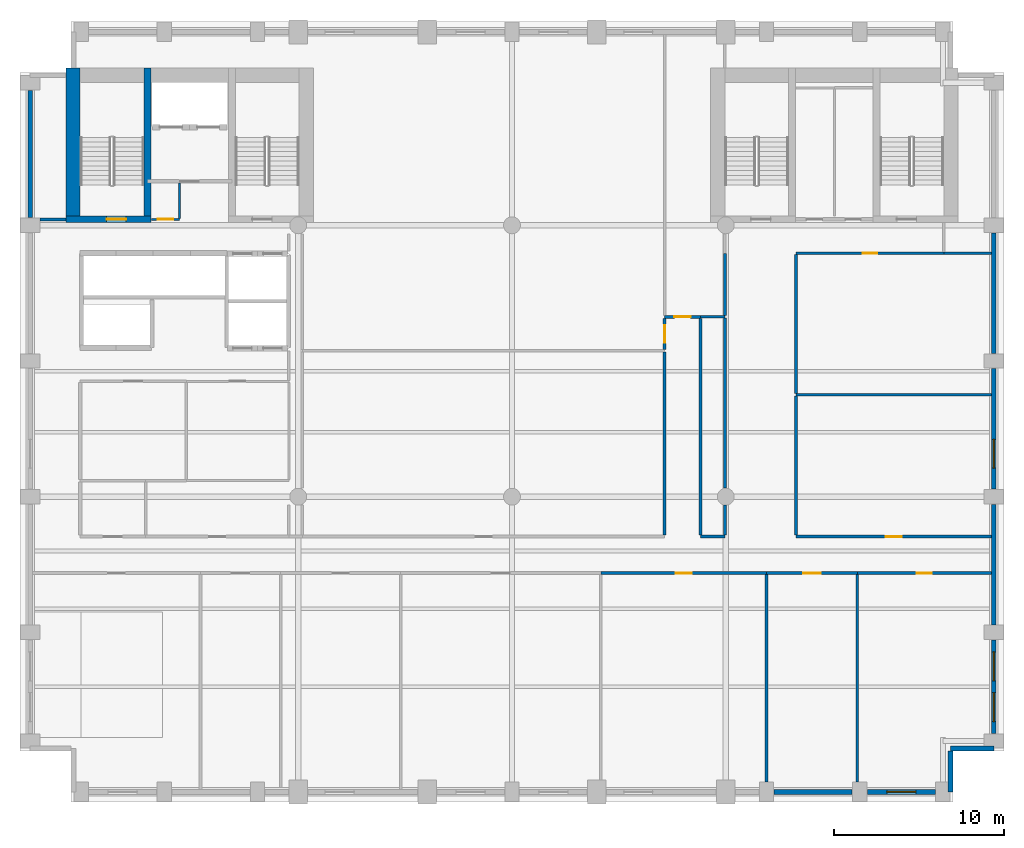
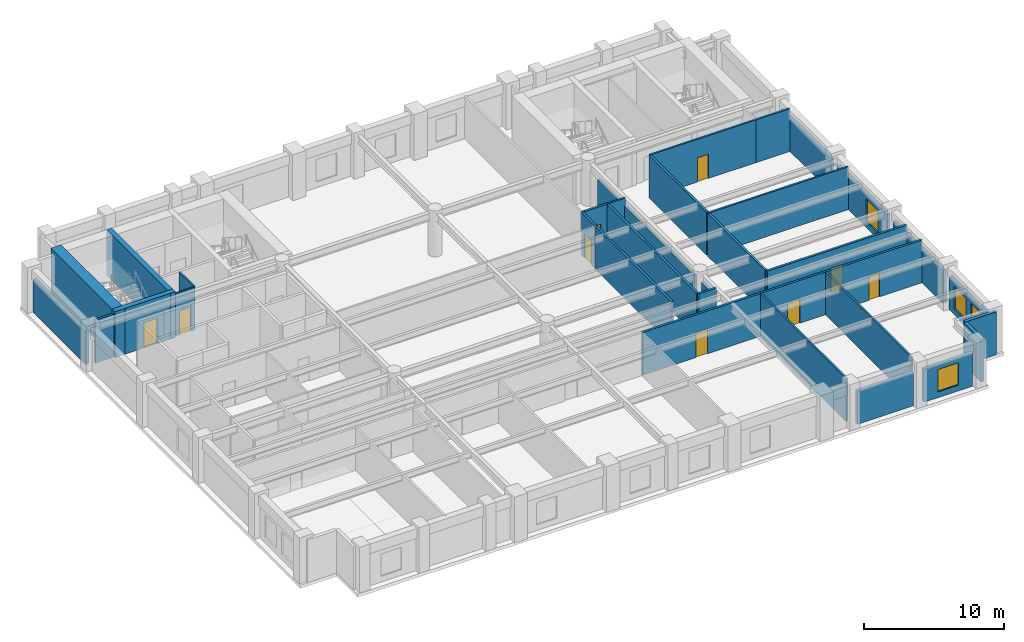
# One storey, part 4 of 9: 35 walls, 9 doors, 4 windows, 13 openings.
"""IFC4 building model written with IfcOpenShell, lengths in metres."""

from ifc_helpers import new_model, si_unit, direction, frame, frame_2d, origin, place, context, subcontext, project, spatial, rectangle, extrude, material, layer, layer_set, type_object, element, fill, save


model = new_model("IFC4")

# Units and contexts
model_context = context("Model", 3, precision=1e-05, world=origin(), true_north=direction((0.0, 1.0)))
body_context = subcontext(model_context, "Body", "Model", "MODEL_VIEW")
ifc_project = project(units=[si_unit("LENGTHUNIT", "METRE"), si_unit("AREAUNIT", "SQUARE_METRE"), si_unit("VOLUMEUNIT", "CUBIC_METRE"), si_unit("PLANEANGLEUNIT", "RADIAN"), si_unit("MASSUNIT", "GRAM", prefix="KILO")], contexts=[model_context])

# Site, building, storey
site_placement = place(None, origin())
site = spatial("IfcSite", under=ifc_project, at=site_placement, CompositionType="ELEMENT")
building_placement = place(site_placement, origin())
building = spatial("IfcBuilding", under=site, at=building_placement, Name="Sulina Concourse Tower", CompositionType="ELEMENT")
storey_placement = place(building_placement, frame((0.0, 0.0, 120.60009765625)))
storey = spatial("IfcBuildingStorey", under=building, at=storey_placement, Name="L29", CompositionType="ELEMENT", Elevation=120.60009765625)

# Walls
ifc_material_1 = material(Name="Gypsum board on steel stud", Category="steel")
ifc_layer_1 = layer(ifc_material_1, 0.14990234375)
ifc_layer_set_1 = layer_set([ifc_layer_1], Name="Gypsum board on steel stud")
wall_type_1 = type_object("IfcWallType", Name="Inter-Tenancy Acoustic Partition 150mm", PredefinedType="PARTITIONING", material=ifc_layer_set_1)
wall_1_placement = place(storey_placement, frame((45.75, 24.0, 0.0), z_axis=(0.0, 0.0, 1.0), x_axis=(1.0, 0.0, 0.0)))
element("IfcWall", 1, at=wall_1_placement, inside=storey, type_object=wall_type_1, Name="L29 interior partition 017", PredefinedType="PARTITIONING", context=body_context, shape_type="SweptSolid", body=[
    extrude(rectangle(XDim=11.510009765625, YDim=0.14990234375, at=frame_2d((5.7548828125, 0.0))), origin(), (0.0, 0.0, 1.0), 3.724853515625),
])
wall_2_placement = place(storey_placement, frame((40.10009765625, 28.60009765625, 0.0), z_axis=(0.0, 0.0, 1.0), x_axis=(1.0, 0.0, 0.0)))
element("IfcWall", 2, at=wall_2_placement, inside=storey, type_object=wall_type_1, Name="L29 interior partition 022", PredefinedType="PARTITIONING", context=body_context, shape_type="SweptSolid", body=[
    extrude(rectangle(XDim=1.449951171875, YDim=0.14990234375, at=frame_2d((0.72509765625, 0.0))), origin(), (0.0, 0.0, 1.0), 3.724853515625),
])

# Wall, opening, door
wall_3_placement = place(storey_placement, frame((45.75, 32.35009765625, 0.0), z_axis=(0.0, 0.0, 1.0), x_axis=(1.0, 0.0, 0.0)))
wall_3 = element("IfcWall", 3, at=wall_3_placement, inside=storey, type_object=wall_type_1, Name="L29 interior partition 023", PredefinedType="PARTITIONING", context=body_context, shape_type="SweptSolid", body=[
    extrude(rectangle(XDim=8.699951171875, YDim=0.14990234375, at=frame_2d((4.35009765625, 0.0))), origin(), (0.0, 0.0, 1.0), 3.724853515625),
])
opening_1_placement = place(wall_3_placement, frame((3.909912109375, 0.0, 0.0)))
opening_1 = element("IfcOpeningElement", 4, at=opening_1_placement, cuts=wall_3, Name="Opening DR-38", PredefinedType="OPENING", context=body_context, shape_type="SweptSolid", body=[
    extrude(rectangle(XDim=0.8798828125, YDim=2.10009765625, at=frame_2d((0.43994140625, 1.050048828125))), frame((0.0, 0.0849609375, 0.0), z_axis=(0.0, -1.0, 0.0), x_axis=(1.0, 0.0, 0.0)), (0.0, 0.0, 1.0), 0.169921875),
])
ifc_material_2 = material(Name="Galvanised steel acoustic fire leaf", Category="steel")
ifc_layer_2 = layer(ifc_material_2, 0.050048828125)
ifc_layer_set_2 = layer_set([ifc_layer_2], Name="Galvanised steel acoustic fire leaf")
door_type_1 = type_object("IfcDoorType", Name="Service Riser Fire Door 880x2100", OperationType="NOTDEFINED", PredefinedType="DOOR", material=ifc_layer_set_2)
door_1_placement = place(opening_1_placement, origin())
door_1 = element("IfcDoor", 5, at=door_1_placement, inside=storey, type_object=door_type_1, Name="L29 interior door L29-NE2", OperationType="SINGLE_SWING_LEFT", OverallHeight=2.10009765625, OverallWidth=0.8798828125, PredefinedType="DOOR", context=body_context, shape_type="SweptSolid", body=[
    extrude(rectangle(XDim=0.8798828125, YDim=2.10009765625, at=frame_2d((0.43994140625, 1.050048828125))), frame((0.0, 0.02490234375, 0.0), z_axis=(0.0, -1.0, 0.0), x_axis=(1.0, 0.0, 0.0)), (0.0, 0.0, 1.0), 0.050048828125),
])
fill(opening_1, door_1)

# Walls
wall_4_placement = place(storey_placement, frame((54.449951171875, 32.35009765625, 0.0), z_axis=(0.0, 0.0, 1.0), x_axis=(1.0, 0.0, 0.0)))
element("IfcWall", 6, at=wall_4_placement, inside=storey, type_object=wall_type_1, Name="L29 interior partition 024", PredefinedType="PARTITIONING", context=body_context, shape_type="SweptSolid", body=[
    extrude(rectangle(XDim=2.81005859375, YDim=0.14990234375, at=frame_2d((1.405029296875, 0.0))), origin(), (0.0, 0.0, 1.0), 3.724853515625),
])
for number, where, z_axis, x_axis, name in (
    (7, (44.0, 1.175048828125, 0.0), (0.0, 0.0, 1.0), (0.0, 1.0, 0.0), "L29 interior partition 054"),
    (8, (49.360107421875, 1.175048828125, 0.0), (0.0, 0.0, 1.0), (0.0, 1.0, 0.0), "L29 interior partition 058"),
):
    element("IfcWall", number, at=place(storey_placement, frame(where, z_axis=z_axis, x_axis=x_axis)), inside=storey, type_object=wall_type_1, Name=name, PredefinedType="PARTITIONING", context=body_context, shape_type="SweptSolid", body=[
        extrude(rectangle(XDim=12.23486328125, YDim=0.14990234375, at=frame_2d((6.117431640625, 0.0))), origin(), (0.0, 0.0, 1.0), 3.724853515625),
    ])

# Wall, opening, door
ifc_material_3 = material(Name="Gypsum board on steel stud", Category="steel")
ifc_layer_3 = layer(ifc_material_3, 0.179931640625)
ifc_layer_set_3 = layer_set([ifc_layer_3], Name="Gypsum board on steel stud")
wall_type_2 = type_object("IfcWallType", Name="Protected Corridor & Riser Partition 180mm", PredefinedType="PARTITIONING", material=ifc_layer_set_3)
wall_5_placement = place(storey_placement, frame((34.239990234375, 13.5, 0.0), z_axis=(0.0, 0.0, 1.0), x_axis=(1.0, 0.0, 0.0)))
wall_5 = element("IfcWall", 9, at=wall_5_placement, inside=storey, type_object=wall_type_2, Name="L29 interior partition 005", PredefinedType="PARTITIONING", context=body_context, shape_type="SweptSolid", body=[
    extrude(rectangle(XDim=9.760009765625, YDim=0.179931640625, at=frame_2d((4.8798828125, 0.0))), origin(), (0.0, 0.0, 1.0), 3.724853515625),
])
opening_2_placement = place(wall_5_placement, frame((4.405029296875, 0.0, 0.0)))
opening_2 = element("IfcOpeningElement", 10, at=opening_2_placement, cuts=wall_5, Name="Opening DR-19", PredefinedType="OPENING", context=body_context, shape_type="SweptSolid", body=[
    extrude(rectangle(XDim=0.949951171875, YDim=2.14990234375, at=frame_2d((0.47509765625, 1.074951171875))), frame((0.0, 0.099853515625, 0.0), z_axis=(0.0, -1.0, 0.0), x_axis=(1.0, 0.0, 0.0)), (0.0, 0.0, 1.0), 0.199951171875),
])
ifc_material_4 = material(Name="Oak-veneered acoustic timber leaf", Category="wood")
ifc_layer_4 = layer(ifc_material_4, 0.050048828125)
ifc_layer_set_4 = layer_set([ifc_layer_4], Name="Oak-veneered acoustic timber leaf")
door_type_2 = type_object("IfcDoorType", Name="Cellular Office & Meeting Door 950x2150", OperationType="NOTDEFINED", PredefinedType="DOOR", material=ifc_layer_set_4)
door_2_placement = place(opening_2_placement, origin())
door_2 = element("IfcDoor", 11, at=door_2_placement, inside=storey, type_object=door_type_2, Name="L29 interior door L29-S04", OperationType="SINGLE_SWING_LEFT", OverallHeight=2.14990234375, OverallWidth=0.949951171875, PredefinedType="DOOR", context=body_context, shape_type="SweptSolid", body=[
    extrude(rectangle(XDim=0.949951171875, YDim=2.14990234375, at=frame_2d((0.47509765625, 1.074951171875))), frame((0.0, 0.02490234375, 0.0), z_axis=(0.0, -1.0, 0.0), x_axis=(1.0, 0.0, 0.0)), (0.0, 0.0, 1.0), 0.050048828125),
])
fill(opening_2, door_2)

wall_6_placement = place(storey_placement, frame((44.0, 13.5, 0.0), z_axis=(0.0, 0.0, 1.0), x_axis=(1.0, 0.0, 0.0)))
wall_6 = element("IfcWall", 12, at=wall_6_placement, inside=storey, type_object=wall_type_2, Name="L29 interior partition 006", PredefinedType="PARTITIONING", context=body_context, shape_type="SweptSolid", body=[
    extrude(rectangle(XDim=5.360107421875, YDim=0.179931640625, at=frame_2d((2.68017578125, 0.0))), origin(), (0.0, 0.0, 1.0), 3.724853515625),
])
opening_3_placement = place(wall_6_placement, frame((2.155029296875, 0.0, 0.0)))
opening_3 = element("IfcOpeningElement", 13, at=opening_3_placement, cuts=wall_6, Name="Opening DR-37", PredefinedType="OPENING", context=body_context, shape_type="SweptSolid", body=[
    extrude(rectangle(XDim=1.050048828125, YDim=2.14990234375, at=frame_2d((0.52490234375, 1.074951171875))), frame((0.0, 0.099853515625, 0.0), z_axis=(0.0, -1.0, 0.0), x_axis=(1.0, 0.0, 0.0)), (0.0, 0.0, 1.0), 0.199951171875),
])
ifc_material_5 = material(Name="Oak-veneered fire door leaf")
ifc_layer_5 = layer(ifc_material_5, 0.050048828125)
ifc_layer_set_5 = layer_set([ifc_layer_5], Name="Oak-veneered fire door leaf")
door_type_3 = type_object("IfcDoorType", Name="Tenant Suite Entrance Fire Door 1050x2150", OperationType="NOTDEFINED", PredefinedType="DOOR", material=ifc_layer_set_5)
door_3_placement = place(opening_3_placement, origin())
door_3 = element("IfcDoor", 14, at=door_3_placement, inside=storey, type_object=door_type_3, Name="L29 interior door L29-S05A", OperationType="SINGLE_SWING_RIGHT", OverallHeight=2.14990234375, OverallWidth=1.050048828125, PredefinedType="DOOR", context=body_context, shape_type="SweptSolid", body=[
    extrude(rectangle(XDim=1.050048828125, YDim=2.14990234375, at=frame_2d((0.52490234375, 1.074951171875))), frame((0.0, 0.02490234375, 0.0), z_axis=(0.0, -1.0, 0.0), x_axis=(1.0, 0.0, 0.0)), (0.0, 0.0, 1.0), 0.050048828125),
])
fill(opening_3, door_3)

wall_7_placement = place(storey_placement, frame((49.360107421875, 13.5, 0.0), z_axis=(0.0, 0.0, 1.0), x_axis=(1.0, 0.0, 0.0)))
wall_7 = element("IfcWall", 15, at=wall_7_placement, inside=storey, type_object=wall_type_2, Name="L29 interior partition 007", PredefinedType="PARTITIONING", context=body_context, shape_type="SweptSolid", body=[
    extrude(rectangle(XDim=7.89990234375, YDim=0.179931640625, at=frame_2d((3.949951171875, 0.0))), origin(), (0.0, 0.0, 1.0), 3.724853515625),
])
opening_4_placement = place(wall_7_placement, frame((3.510009765625, 0.0, 0.0)))
opening_4 = element("IfcOpeningElement", 16, at=opening_4_placement, cuts=wall_7, Name="Opening DR-38", PredefinedType="OPENING", context=body_context, shape_type="SweptSolid", body=[
    extrude(rectangle(XDim=0.8798828125, YDim=2.10009765625, at=frame_2d((0.43994140625, 1.050048828125))), frame((0.0, 0.099853515625, 0.0), z_axis=(0.0, -1.0, 0.0), x_axis=(1.0, 0.0, 0.0)), (0.0, 0.0, 1.0), 0.199951171875),
])
door_4_placement = place(opening_4_placement, origin())
door_4 = element("IfcDoor", 17, at=door_4_placement, inside=storey, type_object=door_type_1, Name="L29 interior door L29-S05B", OperationType="SINGLE_SWING_LEFT", OverallHeight=2.10009765625, OverallWidth=0.8798828125, PredefinedType="DOOR", context=body_context, shape_type="SweptSolid", body=[
    extrude(rectangle(XDim=0.8798828125, YDim=2.10009765625, at=frame_2d((0.43994140625, 1.050048828125))), frame((0.0, 0.02490234375, 0.0), z_axis=(0.0, -1.0, 0.0), x_axis=(1.0, 0.0, 0.0)), (0.0, 0.0, 1.0), 0.050048828125),
])
fill(opening_4, door_4)

# Wall
wall_8_placement = place(storey_placement, frame((40.10009765625, 15.64990234375, 0.0), z_axis=(0.0, 0.0, 1.0), x_axis=(1.0, 0.0, 0.0)))
element("IfcWall", 18, at=wall_8_placement, inside=storey, type_object=wall_type_2, Name="L29 interior partition 012", PredefinedType="PARTITIONING", context=body_context, shape_type="SweptSolid", body=[
    extrude(rectangle(XDim=1.449951171875, YDim=0.179931640625, at=frame_2d((0.72509765625, 0.0))), origin(), (0.0, 0.0, 1.0), 3.724853515625),
])

# Wall, opening, door
wall_9_placement = place(storey_placement, frame((45.75, 15.64990234375, 0.0), z_axis=(0.0, 0.0, 1.0), x_axis=(1.0, 0.0, 0.0)))
wall_9 = element("IfcWall", 19, at=wall_9_placement, inside=storey, type_object=wall_type_2, Name="L29 interior partition 013", PredefinedType="PARTITIONING", context=body_context, shape_type="SweptSolid", body=[
    extrude(rectangle(XDim=11.510009765625, YDim=0.179931640625, at=frame_2d((5.7548828125, 0.0))), origin(), (0.0, 0.0, 1.0), 3.724853515625),
])
opening_5_placement = place(wall_9_placement, frame((5.280029296875, 0.0, 0.0)))
opening_5 = element("IfcOpeningElement", 20, at=opening_5_placement, cuts=wall_9, Name="Opening DR-19", PredefinedType="OPENING", context=body_context, shape_type="SweptSolid", body=[
    extrude(rectangle(XDim=0.949951171875, YDim=2.14990234375, at=frame_2d((0.47509765625, 1.074951171875))), frame((0.0, 0.099853515625, 0.0), z_axis=(0.0, -1.0, 0.0), x_axis=(1.0, 0.0, 0.0)), (0.0, 0.0, 1.0), 0.199951171875),
])
door_5_placement = place(opening_5_placement, origin())
door_5 = element("IfcDoor", 21, at=door_5_placement, inside=storey, type_object=door_type_2, Name="L29 interior door L29-NE1", OperationType="SINGLE_SWING_LEFT", OverallHeight=2.14990234375, OverallWidth=0.949951171875, PredefinedType="DOOR", context=body_context, shape_type="SweptSolid", body=[
    extrude(rectangle(XDim=0.949951171875, YDim=2.14990234375, at=frame_2d((0.47509765625, 1.074951171875))), frame((0.0, 0.02490234375, 0.0), z_axis=(0.0, -1.0, 0.0), x_axis=(1.0, 0.0, 0.0)), (0.0, 0.0, 1.0), 0.050048828125),
])
fill(opening_5, door_5)

wall_10_placement = place(storey_placement, frame((38.0, 28.60009765625, 0.0), z_axis=(0.0, 0.0, 1.0), x_axis=(1.0, 0.0, 0.0)))
wall_10 = element("IfcWall", 22, at=wall_10_placement, inside=storey, type_object=wall_type_2, Name="L29 interior partition 021", PredefinedType="PARTITIONING", context=body_context, shape_type="SweptSolid", body=[
    extrude(rectangle(XDim=2.10009765625, YDim=0.179931640625, at=frame_2d((1.050048828125, 0.0))), origin(), (0.0, 0.0, 1.0), 3.724853515625),
])
opening_6_placement = place(wall_10_placement, frame((0.574951171875, 0.0, 0.0)))
opening_6 = element("IfcOpeningElement", 23, at=opening_6_placement, cuts=wall_10, Name="Opening DR-19", PredefinedType="OPENING", context=body_context, shape_type="SweptSolid", body=[
    extrude(rectangle(XDim=0.949951171875, YDim=2.14990234375, at=frame_2d((0.47509765625, 1.074951171875))), frame((0.0, 0.099853515625, 0.0), z_axis=(0.0, -1.0, 0.0), x_axis=(1.0, 0.0, 0.0)), (0.0, 0.0, 1.0), 0.199951171875),
])
door_6_placement = place(opening_6_placement, origin())
door_6 = element("IfcDoor", 24, at=door_6_placement, inside=storey, type_object=door_type_2, Name="L29 interior door L29-NC4", OperationType="SINGLE_SWING_RIGHT", OverallHeight=2.14990234375, OverallWidth=0.949951171875, PredefinedType="DOOR", context=body_context, shape_type="SweptSolid", body=[
    extrude(rectangle(XDim=0.949951171875, YDim=2.14990234375, at=frame_2d((0.47509765625, 1.074951171875))), frame((0.0, 0.02490234375, 0.0), z_axis=(0.0, -1.0, 0.0), x_axis=(1.0, 0.0, 0.0)), (0.0, 0.0, 1.0), 0.050048828125),
])
fill(opening_6, door_6)

# Walls
wall_11_placement = place(storey_placement, frame((1.175048828125, 34.35009765625, 0.0), z_axis=(0.0, 0.0, 1.0), x_axis=(1.0, 0.0, 0.0)))
element("IfcWall", 25, at=wall_11_placement, inside=storey, type_object=wall_type_2, Name="L29 interior partition 025", PredefinedType="PARTITIONING", context=body_context, shape_type="SweptSolid", body=[
    extrude(rectangle(XDim=1.52490234375, YDim=0.179931640625, at=frame_2d((0.762451171875, 0.0))), origin(), (0.0, 0.0, 1.0), 3.724853515625),
])
wall_12_placement = place(storey_placement, frame((38.0, 15.739990234375, 0.0), z_axis=(0.0, 0.0, 1.0), x_axis=(0.0, 1.0, 0.0)))
element("IfcWall", 26, at=wall_12_placement, inside=storey, type_object=wall_type_2, Name="L29 interior partition 045", PredefinedType="PARTITIONING", context=body_context, shape_type="SweptSolid", body=[
    extrude(rectangle(XDim=10.784912109375, YDim=0.179931640625, at=frame_2d((5.392578125, 0.0))), origin(), (0.0, 0.0, 1.0), 3.724853515625),
])

# Wall, opening, door
wall_13_placement = place(storey_placement, frame((38.0, 26.675048828125, 0.0), z_axis=(0.0, 0.0, 1.0), x_axis=(0.0, 1.0, 0.0)))
wall_13 = element("IfcWall", 27, at=wall_13_placement, inside=storey, type_object=wall_type_2, Name="L29 interior partition 046", PredefinedType="PARTITIONING", context=body_context, shape_type="SweptSolid", body=[
    extrude(rectangle(XDim=1.8349609375, YDim=0.179931640625, at=frame_2d((0.91748046875, 0.0))), origin(), (0.0, 0.0, 1.0), 3.724853515625),
])
opening_7_placement = place(wall_13_placement, frame((0.392578125, 0.0, 0.0)))
opening_7 = element("IfcOpeningElement", 28, at=opening_7_placement, cuts=wall_13, Name="Opening DR-37", PredefinedType="OPENING", context=body_context, shape_type="SweptSolid", body=[
    extrude(rectangle(XDim=1.050048828125, YDim=2.14990234375, at=frame_2d((0.52490234375, 1.074951171875))), frame((0.0, 0.099853515625, 0.0), z_axis=(0.0, -1.0, 0.0), x_axis=(1.0, 0.0, 0.0)), (0.0, 0.0, 1.0), 0.199951171875),
])
door_7_placement = place(opening_7_placement, origin())
door_7 = element("IfcDoor", 29, at=door_7_placement, inside=storey, type_object=door_type_3, Name="L29 interior door L29-NC2", OperationType="SINGLE_SWING_LEFT", OverallHeight=2.14990234375, OverallWidth=1.050048828125, PredefinedType="DOOR", context=body_context, shape_type="SweptSolid", body=[
    extrude(rectangle(XDim=1.050048828125, YDim=2.14990234375, at=frame_2d((0.52490234375, 1.074951171875))), frame((0.0, 0.02490234375, 0.0), z_axis=(0.0, -1.0, 0.0), x_axis=(1.0, 0.0, 0.0)), (0.0, 0.0, 1.0), 0.050048828125),
])
fill(opening_7, door_7)

# Walls
wall_14_placement = place(storey_placement, frame((40.10009765625, 15.739990234375, 0.0), z_axis=(0.0, 0.0, 1.0), x_axis=(0.0, 1.0, 0.0)))
element("IfcWall", 30, at=wall_14_placement, inside=storey, type_object=wall_type_2, Name="L29 interior partition 048", PredefinedType="PARTITIONING", context=body_context, shape_type="SweptSolid", body=[
    extrude(rectangle(XDim=12.77001953125, YDim=0.179931640625, at=frame_2d((6.385009765625, 0.0))), origin(), (0.0, 0.0, 1.0), 3.724853515625),
])
wall_15_placement = place(storey_placement, frame((41.550048828125, 15.739990234375, 0.0), z_axis=(0.0, 0.0, 1.0), x_axis=(0.0, 1.0, 0.0)))
element("IfcWall", 31, at=wall_15_placement, inside=storey, type_object=wall_type_2, Name="L29 interior partition 049", PredefinedType="PARTITIONING", context=body_context, shape_type="SweptSolid", body=[
    extrude(rectangle(XDim=1.760009765625, YDim=0.179931640625, at=frame_2d((0.8798828125, 0.0))), origin(), (0.0, 0.0, 1.0), 3.06982421875),
])
wall_16_placement = place(storey_placement, frame((41.550048828125, 18.5, 0.0), z_axis=(0.0, 0.0, 1.0), x_axis=(0.0, 1.0, 0.0)))
element("IfcWall", 32, at=wall_16_placement, inside=storey, type_object=wall_type_2, Name="L29 interior partition 050", PredefinedType="PARTITIONING", context=body_context, shape_type="SweptSolid", body=[
    extrude(rectangle(XDim=10.02490234375, YDim=0.179931640625, at=frame_2d((5.012451171875, 0.0))), origin(), (0.0, 0.0, 1.0), 3.06982421875),
])
wall_17_placement = place(storey_placement, frame((41.550048828125, 28.675048828125, 0.0), z_axis=(0.0, 0.0, 1.0), x_axis=(0.0, 1.0, 0.0)))
element("IfcWall", 33, at=wall_17_placement, inside=storey, type_object=wall_type_2, Name="L29 interior partition 051", PredefinedType="PARTITIONING", context=body_context, shape_type="SweptSolid", body=[
    extrude(rectangle(XDim=3.675048828125, YDim=0.179931640625, at=frame_2d((1.83740234375, 0.0))), origin(), (0.0, 0.0, 1.0), 3.06982421875),
])
wall_18_placement = place(storey_placement, frame((45.75, 15.739990234375, 0.0), z_axis=(0.0, 0.0, 1.0), x_axis=(0.0, 1.0, 0.0)))
element("IfcWall", 34, at=wall_18_placement, inside=storey, type_object=wall_type_2, Name="L29 interior partition 055", PredefinedType="PARTITIONING", context=body_context, shape_type="SweptSolid", body=[
    extrude(rectangle(XDim=8.18505859375, YDim=0.179931640625, at=frame_2d((4.092529296875, 0.0))), origin(), (0.0, 0.0, 1.0), 3.724853515625),
])
wall_19_placement = place(storey_placement, frame((45.75, 24.074951171875, 0.0), z_axis=(0.0, 0.0, 1.0), x_axis=(0.0, 1.0, 0.0)))
element("IfcWall", 35, at=wall_19_placement, inside=storey, type_object=wall_type_2, Name="L29 interior partition 056", PredefinedType="PARTITIONING", context=body_context, shape_type="SweptSolid", body=[
    extrude(rectangle(XDim=8.199951171875, YDim=0.179931640625, at=frame_2d((4.10009765625, 0.0))), origin(), (0.0, 0.0, 1.0), 3.724853515625),
])

# Wall, opening, door
ifc_material_6 = material(Name="Concrete C60/75", Category="concrete")
ifc_layer_6 = layer(ifc_material_6, 0.39990234375)
ifc_layer_set_6 = layer_set([ifc_layer_6], Name="Concrete C60/75")
wall_type_3 = type_object("IfcWallType", Name="Protected Stair Core Shear Wall 400mm", PredefinedType="SHEAR", material=ifc_layer_set_6)
wall_20_placement = place(storey_placement, frame((2.699951171875, 34.35009765625, 0.0), z_axis=(0.0, 0.0, 1.0), x_axis=(1.0, 0.0, 0.0)))
wall_20 = element("IfcWall", 36, at=wall_20_placement, inside=storey, type_object=wall_type_3, Name="L29 west core shear wall CW-WS1", PredefinedType="SHEAR", context=body_context, shape_type="SweptSolid", body=[
    extrude(rectangle(XDim=5.010009765625, YDim=0.39990234375, at=frame_2d((2.5048828125, 0.0))), origin(), (0.0, 0.0, 1.0), 4.0),
])
opening_8_placement = place(wall_20_placement, frame((2.39990234375, 0.0, 0.0)))
opening_8 = element("IfcOpeningElement", 37, at=opening_8_placement, cuts=wall_20, Name="Opening DR-60", PredefinedType="OPENING", context=body_context, shape_type="SweptSolid", body=[
    extrude(rectangle(XDim=1.14990234375, YDim=2.199951171875, at=frame_2d((0.574951171875, 1.10009765625))), frame((0.0, 0.2099609375, 0.0), z_axis=(0.0, -1.0, 0.0), x_axis=(1.0, 0.0, 0.0)), (0.0, 0.0, 1.0), 0.419921875),
])
ifc_material_7 = material(Name="Galvanised steel acoustic fire leaf", Category="steel")
ifc_layer_7 = layer(ifc_material_7, 0.054931640625)
ifc_layer_set_7 = layer_set([ifc_layer_7], Name="Galvanised steel acoustic fire leaf")
door_type_4 = type_object("IfcDoorType", Name="Protected Exit Stair Fire Door 1150x2200", OperationType="NOTDEFINED", PredefinedType="DOOR", material=ifc_layer_set_7)
door_8_placement = place(opening_8_placement, origin())
door_8 = element("IfcDoor", 38, at=door_8_placement, inside=storey, type_object=door_type_4, Name="L29 stair ST-1 lobby fire door", OperationType="SINGLE_SWING_RIGHT", OverallHeight=2.199951171875, OverallWidth=1.14990234375, PredefinedType="DOOR", context=body_context, shape_type="SweptSolid", body=[
    extrude(rectangle(XDim=1.14990234375, YDim=2.199951171875, at=frame_2d((0.574951171875, 1.10009765625))), frame((0.0, 0.02490234375, 0.0), z_axis=(0.0, -1.0, 0.0), x_axis=(1.0, 0.0, 0.0)), (0.0, 0.0, 1.0), 0.050048828125),
])
fill(opening_8, door_8)

# Walls
wall_21_placement = place(storey_placement, frame((7.510009765625, 34.14990234375, 0.0), z_axis=(0.0, 0.0, 1.0), x_axis=(0.0, 1.0, 0.0)))
element("IfcWall", 39, at=wall_21_placement, inside=storey, type_object=wall_type_3, Name="L29 west core shear wall SW-ST1", PredefinedType="SHEAR", context=body_context, shape_type="SweptSolid", body=[
    extrude(rectangle(XDim=9.130126953125, YDim=0.39990234375, at=frame_2d((4.56494140625, 0.0))), origin(), (0.0, 0.0, 1.0), 4.0),
])
ifc_material_8 = material(Name="Concrete C60/75", Category="concrete")
ifc_layer_8 = layer(ifc_material_8, 0.85009765625)
ifc_layer_set_8 = layer_set([ifc_layer_8], Name="Concrete C60/75")
wall_type_4 = type_object("IfcWallType", Name="Rear Core Shear Wall 850mm", PredefinedType="SHEAR", material=ifc_layer_set_8)
wall_22_placement = place(storey_placement, frame((3.125, 34.14990234375, 0.0), z_axis=(0.0, 0.0, 1.0), x_axis=(0.0, 1.0, 0.0)))
element("IfcWall", 40, at=wall_22_placement, inside=storey, type_object=wall_type_4, Name="L29 west core shear wall CW-WW", PredefinedType="SHEAR", context=body_context, shape_type="SweptSolid", body=[
    extrude(rectangle(XDim=9.130126953125, YDim=0.85009765625, at=frame_2d((4.56494140625, 0.0))), origin(), (0.0, 0.0, 1.0), 4.0),
])
ifc_material_9 = material(Name="Precast concrete C50/60", Category="concrete")
ifc_layer_9 = layer(ifc_material_9, 0.280029296875)
ifc_layer_set_9 = layer_set([ifc_layer_9], Name="Precast concrete C50/60")
wall_type_5 = type_object("IfcWallType", Name="Typical Precast Masonry-Frame Facade Wall 280mm", PredefinedType="SOLIDWALL", material=ifc_layer_set_9)
wall_23_placement = place(storey_placement, frame((49.054931640625, 0.60009765625, 0.0), z_axis=(0.0, 0.0, 1.0), x_axis=(-1.0, 0.0, 0.0)))
element("IfcWall", 41, at=wall_23_placement, inside=storey, type_object=wall_type_5, Name="L29 exterior precast wall S9", PredefinedType="SOLIDWALL", context=body_context, shape_type="SweptSolid", body=[
    extrude(rectangle(XDim=4.60986328125, YDim=0.280029296875, at=frame_2d((2.304931640625, 0.0))), origin(), (0.0, 0.0, 1.0), 2.875),
])

# Wall, opening, window
wall_24_placement = place(storey_placement, frame((53.955078125, 0.60009765625, 0.0), z_axis=(0.0, 0.0, 1.0), x_axis=(-1.0, 0.0, 0.0)))
wall_24 = element("IfcWall", 42, at=wall_24_placement, inside=storey, type_object=wall_type_5, Name="L29 exterior precast wall S10", PredefinedType="SOLIDWALL", context=body_context, shape_type="SweptSolid", body=[
    extrude(rectangle(XDim=4.010009765625, YDim=0.280029296875, at=frame_2d((2.0048828125, 0.0))), origin(), (0.0, 0.0, 1.0), 2.875),
])
opening_9_placement = place(wall_24_placement, frame((1.155029296875, 0.0, 0.5)))
opening_9 = element("IfcOpeningElement", 43, at=opening_9_placement, cuts=wall_24, Name="Opening WN-66", PredefinedType="OPENING", context=body_context, shape_type="SweptSolid", body=[
    extrude(rectangle(XDim=1.699951171875, YDim=1.949951171875, at=frame_2d((0.85009765625, 0.97509765625))), frame((0.0, 0.14990234375, 0.0), z_axis=(0.0, -1.0, 0.0), x_axis=(1.0, 0.0, 0.0)), (0.0, 0.0, 1.0), 0.300048828125),
])
ifc_material_10 = material(Name="Low-E solar double glazing in bronze aluminium", Category="aluminium")
window_type = type_object("IfcWindowType", Name="Recessed Spandrel Window 1700x1950", PartitioningType="SINGLE_PANEL", PredefinedType="WINDOW", material=ifc_material_10)
window_1_placement = place(opening_9_placement, origin())
window_1 = element("IfcWindow", 44, at=window_1_placement, inside=storey, type_object=window_type, Name="L29 punched window S10-1", OverallHeight=1.949951171875, OverallWidth=1.699951171875, PartitioningType="SINGLE_PANEL", PredefinedType="WINDOW", context=body_context, shape_type="SweptSolid", body=[
    extrude(rectangle(XDim=1.699951171875, YDim=1.949951171875, at=frame_2d((0.85009765625, 0.97509765625))), frame((0.0, 0.030029296875, 0.0), z_axis=(0.0, -1.0, 0.0), x_axis=(1.0, 0.0, 0.0)), (0.0, 0.0, 1.0), 0.06005859375),
])
fill(opening_9, window_1)

# Wall
wall_25_placement = place(storey_placement, frame((0.60009765625, 34.445068359375, 0.0), z_axis=(0.0, 0.0, 1.0), x_axis=(0.0, 1.0, 0.0)))
element("IfcWall", 45, at=wall_25_placement, inside=storey, type_object=wall_type_5, Name="L29 exterior precast wall W5", PredefinedType="SOLIDWALL", context=body_context, shape_type="SweptSolid", body=[
    extrude(rectangle(XDim=7.510009765625, YDim=0.280029296875, at=frame_2d((3.7548828125, 0.0))), origin(), (0.0, 0.0, 1.0), 2.875),
])

# Wall, openings, windows
wall_26_placement = place(storey_placement, frame((57.39990234375, 9.554931640625, 0.0), z_axis=(0.0, 0.0, 1.0), x_axis=(0.0, -1.0, 0.0)))
wall_26 = element("IfcWall", 46, at=wall_26_placement, inside=storey, type_object=wall_type_5, Name="L29 exterior precast wall E1", PredefinedType="SOLIDWALL", context=body_context, shape_type="SweptSolid", body=[
    extrude(rectangle(XDim=5.510009765625, YDim=0.280029296875, at=frame_2d((2.7548828125, 0.0))), origin(), (0.0, 0.0, 1.0), 2.875),
])
opening_10_placement = place(wall_26_placement, frame((0.703369140625, 0.0, 0.5)))
opening_10 = element("IfcOpeningElement", 47, at=opening_10_placement, cuts=wall_26, Name="Opening WN-66", PredefinedType="OPENING", context=body_context, shape_type="SweptSolid", body=[
    extrude(rectangle(XDim=1.699951171875, YDim=1.949951171875, at=frame_2d((0.85009765625, 0.97509765625))), frame((0.0, 0.14990234375, 0.0), z_axis=(0.0, -1.0, 0.0), x_axis=(1.0, 0.0, 0.0)), (0.0, 0.0, 1.0), 0.300048828125),
])
opening_11_placement = place(wall_26_placement, frame((3.106689453125, 0.0, 0.5)))
opening_11 = element("IfcOpeningElement", 48, at=opening_11_placement, cuts=wall_26, Name="Opening WN-66", PredefinedType="OPENING", context=body_context, shape_type="SweptSolid", body=[
    extrude(rectangle(XDim=1.699951171875, YDim=1.949951171875, at=frame_2d((0.85009765625, 0.97509765625))), frame((0.0, 0.14990234375, 0.0), z_axis=(0.0, -1.0, 0.0), x_axis=(1.0, 0.0, 0.0)), (0.0, 0.0, 1.0), 0.300048828125),
])
window_2_placement = place(opening_10_placement, origin())
window_2 = element("IfcWindow", 49, at=window_2_placement, inside=storey, type_object=window_type, Name="L29 punched window E1-1", OverallHeight=1.949951171875, OverallWidth=1.699951171875, PartitioningType="SINGLE_PANEL", PredefinedType="WINDOW", context=body_context, shape_type="SweptSolid", body=[
    extrude(rectangle(XDim=1.699951171875, YDim=1.949951171875, at=frame_2d((0.85009765625, 0.97509765625))), frame((0.0, 0.030029296875, 0.0), z_axis=(0.0, -1.0, 0.0), x_axis=(1.0, 0.0, 0.0)), (0.0, 0.0, 1.0), 0.06005859375),
])
fill(opening_10, window_2)
window_3_placement = place(opening_11_placement, origin())
window_3 = element("IfcWindow", 50, at=window_3_placement, inside=storey, type_object=window_type, Name="L29 punched window E1-2", OverallHeight=1.949951171875, OverallWidth=1.699951171875, PartitioningType="SINGLE_PANEL", PredefinedType="WINDOW", context=body_context, shape_type="SweptSolid", body=[
    extrude(rectangle(XDim=1.699951171875, YDim=1.949951171875, at=frame_2d((0.85009765625, 0.97509765625))), frame((0.0, 0.030029296875, 0.0), z_axis=(0.0, -1.0, 0.0), x_axis=(1.0, 0.0, 0.0)), (0.0, 0.0, 1.0), 0.06005859375),
])
fill(opening_11, window_3)

# Wall
wall_27_placement = place(storey_placement, frame((57.39990234375, 17.554931640625, 0.0), z_axis=(0.0, 0.0, 1.0), x_axis=(0.0, -1.0, 0.0)))
element("IfcWall", 51, at=wall_27_placement, inside=storey, type_object=wall_type_5, Name="L29 exterior precast wall E2", PredefinedType="SOLIDWALL", context=body_context, shape_type="SweptSolid", body=[
    extrude(rectangle(XDim=7.10986328125, YDim=0.280029296875, at=frame_2d((3.554931640625, 0.0))), origin(), (0.0, 0.0, 1.0), 2.875),
])

# Wall, opening, window
wall_28_placement = place(storey_placement, frame((57.39990234375, 25.554931640625, 0.0), z_axis=(0.0, 0.0, 1.0), x_axis=(0.0, -1.0, 0.0)))
wall_28 = element("IfcWall", 52, at=wall_28_placement, inside=storey, type_object=wall_type_5, Name="L29 exterior precast wall E3", PredefinedType="SOLIDWALL", context=body_context, shape_type="SweptSolid", body=[
    extrude(rectangle(XDim=7.10986328125, YDim=0.280029296875, at=frame_2d((3.554931640625, 0.0))), origin(), (0.0, 0.0, 1.0), 2.875),
])
opening_12_placement = place(wall_28_placement, frame((4.17333984375, 0.0, 0.5)))
opening_12 = element("IfcOpeningElement", 53, at=opening_12_placement, cuts=wall_28, Name="Opening WN-66", PredefinedType="OPENING", context=body_context, shape_type="SweptSolid", body=[
    extrude(rectangle(XDim=1.699951171875, YDim=1.949951171875, at=frame_2d((0.85009765625, 0.97509765625))), frame((0.0, 0.14990234375, 0.0), z_axis=(0.0, -1.0, 0.0), x_axis=(1.0, 0.0, 0.0)), (0.0, 0.0, 1.0), 0.300048828125),
])
window_4_placement = place(opening_12_placement, origin())
window_4 = element("IfcWindow", 54, at=window_4_placement, inside=storey, type_object=window_type, Name="L29 punched window E3-1", OverallHeight=1.949951171875, OverallWidth=1.699951171875, PartitioningType="SINGLE_PANEL", PredefinedType="WINDOW", context=body_context, shape_type="SweptSolid", body=[
    extrude(rectangle(XDim=1.699951171875, YDim=1.949951171875, at=frame_2d((0.85009765625, 0.97509765625))), frame((0.0, 0.030029296875, 0.0), z_axis=(0.0, -1.0, 0.0), x_axis=(1.0, 0.0, 0.0)), (0.0, 0.0, 1.0), 0.06005859375),
])
fill(opening_12, window_4)

# Walls
wall_29_placement = place(storey_placement, frame((57.39990234375, 33.554931640625, 0.0), z_axis=(0.0, 0.0, 1.0), x_axis=(0.0, -1.0, 0.0)))
element("IfcWall", 55, at=wall_29_placement, inside=storey, type_object=wall_type_5, Name="L29 exterior precast wall E4", PredefinedType="SOLIDWALL", context=body_context, shape_type="SweptSolid", body=[
    extrude(rectangle(XDim=7.10986328125, YDim=0.280029296875, at=frame_2d((3.554931640625, 0.0))), origin(), (0.0, 0.0, 1.0), 2.875),
])
wall_30_placement = place(storey_placement, frame((57.39990234375, 3.155029296875, 0.0), z_axis=(0.0, 0.0, 1.0), x_axis=(-1.0, 0.0, 0.0)))
element("IfcWall", 56, at=wall_30_placement, inside=storey, type_object=wall_type_5, Name="L29 exterior precast wall CSE1", PredefinedType="SOLIDWALL", context=body_context, shape_type="SweptSolid", body=[
    extrude(rectangle(XDim=2.554931640625, YDim=0.280029296875, at=frame_2d((1.27734375, 0.0))), origin(), (0.0, 0.0, 1.0), 3.724853515625),
])
wall_31_placement = place(storey_placement, frame((54.844970703125, 3.010009765625, 0.0), z_axis=(0.0, 0.0, 1.0), x_axis=(0.0, -1.0, 0.0)))
element("IfcWall", 57, at=wall_31_placement, inside=storey, type_object=wall_type_5, Name="L29 exterior precast wall CSE2", PredefinedType="SOLIDWALL", context=body_context, shape_type="SweptSolid", body=[
    extrude(rectangle(XDim=2.409912109375, YDim=0.280029296875, at=frame_2d((1.205078125, 0.0))), origin(), (0.0, 0.0, 1.0), 3.724853515625),
])

# Wall, opening, door
ifc_material_11 = material(Name="Gypsum board on steel stud", Category="steel")
ifc_layer_10 = layer(ifc_material_11, 0.125)
ifc_layer_set_10 = layer_set([ifc_layer_10], Name="Gypsum board on steel stud")
wall_type_6 = type_object("IfcWallType", Name="Wet-Area Moisture-Resistant Partition 125mm", PredefinedType="PARTITIONING", material=ifc_layer_set_10)
wall_32_placement = place(storey_placement, frame((7.75, 34.35009765625, 0.0), z_axis=(0.0, 0.0, 1.0), x_axis=(1.0, 0.0, 0.0)))
wall_32 = element("IfcWall", 58, at=wall_32_placement, inside=storey, type_object=wall_type_6, Name="L29 interior partition 026", PredefinedType="PARTITIONING", context=body_context, shape_type="SweptSolid", body=[
    extrude(rectangle(XDim=1.64990234375, YDim=0.125, at=frame_2d((0.824951171875, 0.0))), origin(), (0.0, 0.0, 1.0), 3.724853515625),
])
opening_13_placement = place(wall_32_placement, frame((0.364990234375, 0.0, 0.0)))
opening_13 = element("IfcOpeningElement", 59, at=opening_13_placement, cuts=wall_32, Name="Opening DR-61", PredefinedType="OPENING", context=body_context, shape_type="SweptSolid", body=[
    extrude(rectangle(XDim=0.919921875, YDim=2.10009765625, at=frame_2d((0.4599609375, 1.050048828125))), frame((0.0, 0.072509765625, 0.0), z_axis=(0.0, -1.0, 0.0), x_axis=(1.0, 0.0, 0.0)), (0.0, 0.0, 1.0), 0.14501953125),
])
ifc_material_12 = material(Name="Oak-veneered fire door leaf")
ifc_layer_11 = layer(ifc_material_12, 0.050048828125)
ifc_layer_set_11 = layer_set([ifc_layer_11], Name="Oak-veneered fire door leaf")
door_type_5 = type_object("IfcDoorType", Name="Accessible WC Door 920x2100", OperationType="NOTDEFINED", PredefinedType="DOOR", material=ifc_layer_set_11)
door_9_placement = place(opening_13_placement, origin())
door_9 = element("IfcDoor", 60, at=door_9_placement, inside=storey, type_object=door_type_5, Name="L29 interior door L29-WC-ACC", OperationType="SINGLE_SWING_RIGHT", OverallHeight=2.10009765625, OverallWidth=0.919921875, PredefinedType="DOOR", context=body_context, shape_type="SweptSolid", body=[
    extrude(rectangle(XDim=0.919921875, YDim=2.10009765625, at=frame_2d((0.4599609375, 1.050048828125))), frame((0.0, 0.02490234375, 0.0), z_axis=(0.0, -1.0, 0.0), x_axis=(1.0, 0.0, 0.0)), (0.0, 0.0, 1.0), 0.050048828125),
])
fill(opening_13, door_9)

# Wall
wall_33_placement = place(storey_placement, frame((9.39990234375, 34.41259765625, 0.0), z_axis=(0.0, 0.0, 1.0), x_axis=(0.0, 1.0, 0.0)))
element("IfcWall", 61, at=wall_33_placement, inside=storey, type_object=wall_type_6, Name="L29 interior partition 032", PredefinedType="PARTITIONING", context=body_context, shape_type="SweptSolid", body=[
    extrude(rectangle(XDim=2.077392578125, YDim=0.125, at=frame_2d((1.03857421875, 0.0))), origin(), (0.0, 0.0, 1.0), 3.724853515625),
])

save(model, "model.ifc")
